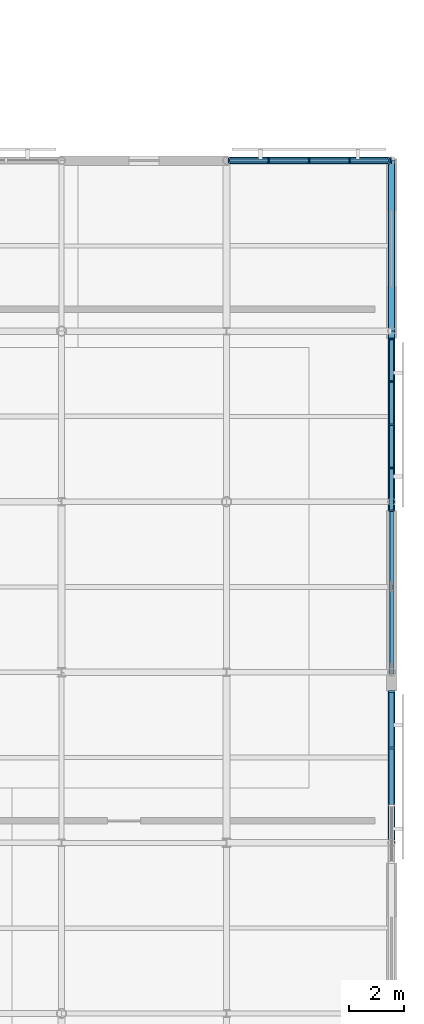
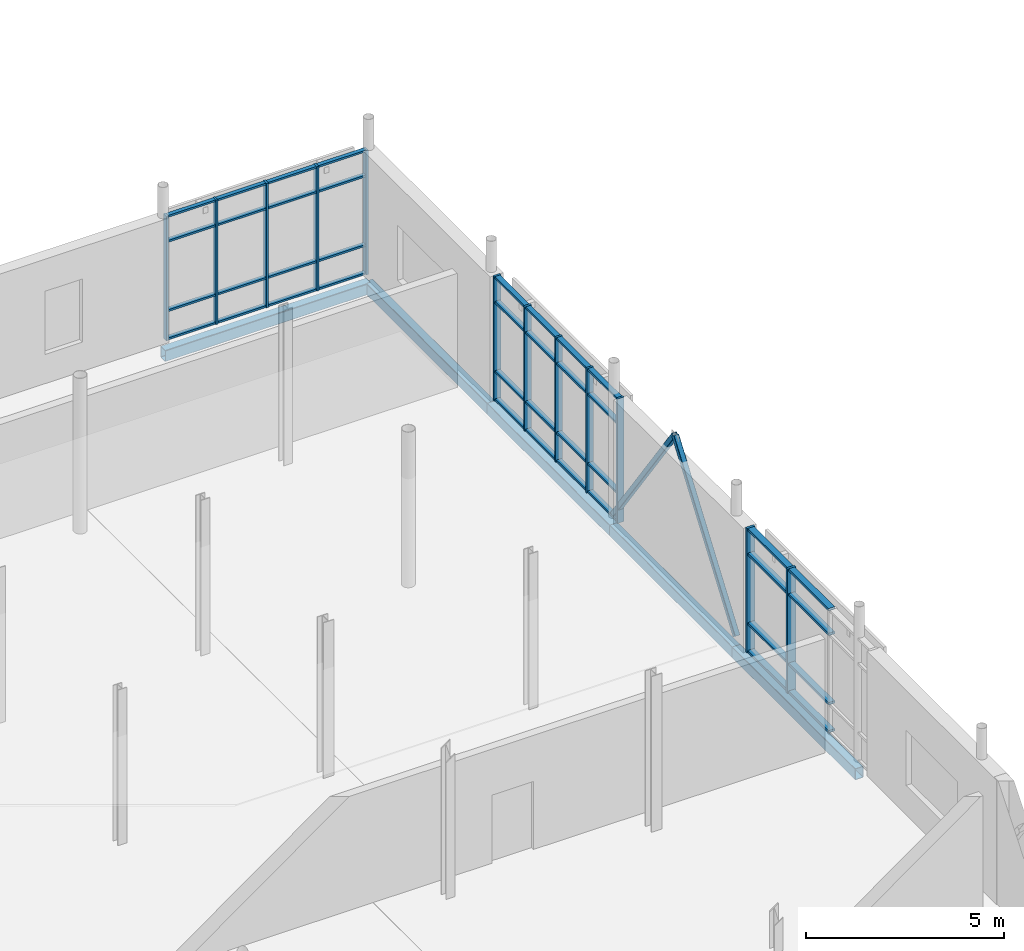
# One storey, part 46 of 84: 54 members, 5 beams, 3 elements without a shape of their own.
"""IFC4 building model written with IfcOpenShell, lengths in metres."""

from ifc_helpers import new_model, si_unit, direction, frame, origin, origin_2d, place, context, subcontext, project, spatial, rectangle, hollow_rectangle, extrude, material, layer, layer_set, material_profile, profile_set, type_object, element, aggregate, save


model = new_model("IFC4")

# Units and contexts
model_context = context("Model", 3, precision=1e-05, world=origin(), true_north=direction((0.0, 1.0)))
body_context = subcontext(model_context, "Body", "Model", "MODEL_VIEW")
ifc_project = project(units=[si_unit("LENGTHUNIT", "METRE"), si_unit("AREAUNIT", "SQUARE_METRE"), si_unit("VOLUMEUNIT", "CUBIC_METRE"), si_unit("PLANEANGLEUNIT", "RADIAN"), si_unit("MASSUNIT", "GRAM", prefix="KILO")], contexts=[model_context])

# Site, building, storey
site_placement = place(None, origin())
site = spatial("IfcSite", under=ifc_project, at=site_placement, CompositionType="ELEMENT")
building_placement = place(site_placement, origin())
building = spatial("IfcBuilding", under=site, at=building_placement, Name="Mirzam Square Science Centre", CompositionType="ELEMENT")
storey_placement = place(building_placement, frame((0.0, 0.0, 10.800048828125)))
storey = spatial("IfcBuildingStorey", under=building, at=storey_placement, Name="L02", CompositionType="ELEMENT", Elevation=10.800048828125)

# Members
ifc_material_1 = material(Name="Steel S355", Category="steel")
ifc_material_profile_1 = material_profile(ifc_material_1, hollow_rectangle(XDim=0.14990234375, YDim=0.14990234375, WallThickness=0.008056640625, InnerFilletRadius=0.008056640625, OuterFilletRadius=0.01611328125, at=origin_2d()), Name="150x150x8.0SHS")
ifc_profile_set_1 = profile_set([ifc_material_profile_1], Name="Steel S355")
member_type_1 = type_object("IfcMemberType", Name="BR-SHS150", PredefinedType="BRACE", material=ifc_profile_set_1)
member_1_placement = place(storey_placement, frame((162.0, 68.199951171875, 0.050048828125), z_axis=(0.0, 0.582587140855, 0.812768246987), x_axis=(-1.0, 0.0, 0.0)))
element("IfcMember", 1, at=member_1_placement, inside=storey, type_object=member_type_1, Name="L02 chevron brace 5A", PredefinedType="BRACE", context=body_context, shape_type="SweptSolid", body=[
    extrude(hollow_rectangle(XDim=0.14990234375, YDim=0.14990234375, WallThickness=0.008056640625, InnerFilletRadius=0.008056640625, OuterFilletRadius=0.01611328125, at=origin_2d()), origin(), (0.0, 0.0, 1.0), 5.3212890625),
])
member_2_placement = place(storey_placement, frame((162.0, 74.39990234375, 0.050048828125), z_axis=(0.0, -0.582556831518, 0.812789971673), x_axis=(1.0, 0.0, 0.0)))
element("IfcMember", 2, at=member_2_placement, inside=storey, type_object=member_type_1, Name="L02 chevron brace 5B", PredefinedType="BRACE", context=body_context, shape_type="SweptSolid", body=[
    extrude(hollow_rectangle(XDim=0.14990234375, YDim=0.14990234375, WallThickness=0.008056640625, InnerFilletRadius=0.008056640625, OuterFilletRadius=0.01611328125, at=origin_2d()), origin(), (0.0, 0.0, 1.0), 5.321044921875),
])

# Curtain wall, members
ifc_material_2 = material(Name="Anodised Aluminium and Low-E Solar Glass", Category="aluminium")
ifc_layer_1 = layer(ifc_material_2, 0.159912109375)
ifc_layer_set_1 = layer_set([ifc_layer_1], Name="CW-COURT-B")
curtain_wall_type_1 = type_object("IfcCurtainWallType", Name="CW-COURT-B", PredefinedType="USERDEFINED", material=ifc_layer_set_1)
curtain_wall_1_placement = place(storey_placement, origin())
curtain_wall_1 = element("IfcCurtainWall", 3, at=curtain_wall_1_placement, inside=storey, type_object=curtain_wall_type_1, Name="L02 unitised curtain wall 107", ObjectType="UNITISED CURTAIN WALL", PredefinedType="USERDEFINED")
ifc_material_3 = material(Name="Anodised Architectural Aluminium 6063-T6", Category="aluminium")
ifc_material_profile_2 = material_profile(ifc_material_3, rectangle(XDim=0.06005859375, YDim=0.159912109375, at=origin_2d()), Name="ALU-MULL-160x60x4")
ifc_profile_set_2 = profile_set([ifc_material_profile_2], Name="Anodised Architectural Aluminium 6063-T6")
member_type_2 = type_object("IfcMemberType", Name="CWM-160", PredefinedType="MULLION", material=ifc_profile_set_2)
member_3_placement = place(storey_placement, frame((161.9150390625, 86.800048828125, 0.0), z_axis=(0.0, 0.0, 1.0), x_axis=(-1.0, 0.0, 0.0)))
member_3 = element("IfcMember", 4, at=member_3_placement, type_object=member_type_2, Name="CW-04 mullion 1", PredefinedType="MULLION", context=body_context, shape_type="SweptSolid", body=[
    extrude(rectangle(XDim=0.06005859375, YDim=0.159912109375, at=origin_2d()), origin(), (0.0, 0.0, 1.0), 3.83984375),
])
member_4_placement = place(storey_placement, frame((160.472412109375, 86.800048828125, 0.0), z_axis=(0.0, 0.0, 1.0), x_axis=(-1.0, 0.0, 0.0)))
member_4 = element("IfcMember", 5, at=member_4_placement, type_object=member_type_2, Name="CW-04 mullion 2", PredefinedType="MULLION", context=body_context, shape_type="SweptSolid", body=[
    extrude(rectangle(XDim=0.06005859375, YDim=0.159912109375, at=origin_2d()), origin(), (0.0, 0.0, 1.0), 3.83984375),
])
member_5_placement = place(storey_placement, frame((159.0, 86.800048828125, 0.0), z_axis=(0.0, 0.0, 1.0), x_axis=(-1.0, 0.0, 0.0)))
member_5 = element("IfcMember", 6, at=member_5_placement, type_object=member_type_2, Name="CW-04 mullion 3", PredefinedType="MULLION", context=body_context, shape_type="SweptSolid", body=[
    extrude(rectangle(XDim=0.06005859375, YDim=0.159912109375, at=origin_2d()), origin(), (0.0, 0.0, 1.0), 3.83984375),
])
member_6_placement = place(storey_placement, frame((157.527587890625, 86.800048828125, 0.0), z_axis=(0.0, 0.0, 1.0), x_axis=(-1.0, 0.0, 0.0)))
member_6 = element("IfcMember", 7, at=member_6_placement, type_object=member_type_2, Name="CW-04 mullion 4", PredefinedType="MULLION", context=body_context, shape_type="SweptSolid", body=[
    extrude(rectangle(XDim=0.06005859375, YDim=0.159912109375, at=origin_2d()), origin(), (0.0, 0.0, 1.0), 3.83984375),
])
member_7_placement = place(storey_placement, frame((156.0849609375, 86.800048828125, 0.0), z_axis=(0.0, 0.0, 1.0), x_axis=(-1.0, 0.0, 0.0)))
member_7 = element("IfcMember", 8, at=member_7_placement, type_object=member_type_2, Name="CW-04 mullion 5", PredefinedType="MULLION", context=body_context, shape_type="SweptSolid", body=[
    extrude(rectangle(XDim=0.06005859375, YDim=0.159912109375, at=origin_2d()), origin(), (0.0, 0.0, 1.0), 3.83984375),
])

ifc_layer_2 = layer(ifc_material_2, 0.179931640625)
ifc_layer_set_2 = layer_set([ifc_layer_2], Name="CW-LINK-A")
curtain_wall_type_2 = type_object("IfcCurtainWallType", Name="CW-LINK-A", PredefinedType="USERDEFINED", material=ifc_layer_set_2)
curtain_wall_2_placement = place(storey_placement, origin())
curtain_wall_2 = element("IfcCurtainWall", 9, at=curtain_wall_2_placement, inside=storey, type_object=curtain_wall_type_2, Name="L02 unitised curtain wall 106", ObjectType="UNITISED CURTAIN WALL", PredefinedType="USERDEFINED")
ifc_material_profile_3 = material_profile(ifc_material_3, rectangle(XDim=0.06494140625, YDim=0.199951171875, at=origin_2d()), Name="ALU-MULL-200x65x5")
ifc_profile_set_3 = profile_set([ifc_material_profile_3], Name="Anodised Architectural Aluminium 6063-T6")
member_type_3 = type_object("IfcMemberType", Name="CWM-200", PredefinedType="MULLION", material=ifc_profile_set_3)
member_8_placement = place(storey_placement, frame((162.0, 74.08740234375, 0.0), z_axis=(0.0, 0.0, 1.0), x_axis=(0.0, 1.0, 0.0)))
member_8 = element("IfcMember", 10, at=member_8_placement, type_object=member_type_3, Name="CW-08 mullion 1", PredefinedType="MULLION", context=body_context, shape_type="SweptSolid", body=[
    extrude(rectangle(XDim=0.06494140625, YDim=0.199951171875, at=origin_2d()), origin(), (0.0, 0.0, 1.0), 3.83984375),
])
member_9_placement = place(storey_placement, frame((162.0, 75.62744140625, 0.0), z_axis=(0.0, 0.0, 1.0), x_axis=(0.0, 1.0, 0.0)))
member_9 = element("IfcMember", 11, at=member_9_placement, type_object=member_type_3, Name="CW-08 mullion 2", PredefinedType="MULLION", context=body_context, shape_type="SweptSolid", body=[
    extrude(rectangle(XDim=0.06494140625, YDim=0.199951171875, at=origin_2d()), origin(), (0.0, 0.0, 1.0), 3.83984375),
])
member_10_placement = place(storey_placement, frame((162.0, 77.199951171875, 0.0), z_axis=(0.0, 0.0, 1.0), x_axis=(0.0, 1.0, 0.0)))
member_10 = element("IfcMember", 12, at=member_10_placement, type_object=member_type_3, Name="CW-08 mullion 3", PredefinedType="MULLION", context=body_context, shape_type="SweptSolid", body=[
    extrude(rectangle(XDim=0.06494140625, YDim=0.199951171875, at=origin_2d()), origin(), (0.0, 0.0, 1.0), 3.83984375),
])
member_11_placement = place(storey_placement, frame((162.0, 78.7724609375, 0.0), z_axis=(0.0, 0.0, 1.0), x_axis=(0.0, 1.0, 0.0)))
member_11 = element("IfcMember", 13, at=member_11_placement, type_object=member_type_3, Name="CW-08 mullion 4", PredefinedType="MULLION", context=body_context, shape_type="SweptSolid", body=[
    extrude(rectangle(XDim=0.06494140625, YDim=0.199951171875, at=origin_2d()), origin(), (0.0, 0.0, 1.0), 3.83984375),
])
member_12_placement = place(storey_placement, frame((162.0, 80.3125, 0.0), z_axis=(0.0, 0.0, 1.0), x_axis=(0.0, 1.0, 0.0)))
member_12 = element("IfcMember", 14, at=member_12_placement, type_object=member_type_3, Name="CW-08 mullion 5", PredefinedType="MULLION", context=body_context, shape_type="SweptSolid", body=[
    extrude(rectangle(XDim=0.06494140625, YDim=0.199951171875, at=origin_2d()), origin(), (0.0, 0.0, 1.0), 3.83984375),
])

ifc_layer_3 = layer(ifc_material_2, 0.239990234375)
ifc_layer_set_3 = layer_set([ifc_layer_3], Name="CW-EAST-B")
curtain_wall_type_3 = type_object("IfcCurtainWallType", Name="CW-EAST-B", PredefinedType="USERDEFINED", material=ifc_layer_set_3)
curtain_wall_3_placement = place(storey_placement, origin())
curtain_wall_3 = element("IfcCurtainWall", 15, at=curtain_wall_3_placement, inside=storey, type_object=curtain_wall_type_3, Name="L02 unitised curtain wall 105", ObjectType="UNITISED CURTAIN WALL", PredefinedType="USERDEFINED")
ifc_material_profile_4 = material_profile(ifc_material_3, rectangle(XDim=0.074951171875, YDim=0.239990234375, at=origin_2d()), Name="ALU-MULL-240x75x5")
ifc_profile_set_4 = profile_set([ifc_material_profile_4], Name="Anodised Architectural Aluminium 6063-T6")
member_type_4 = type_object("IfcMemberType", Name="CWM-240", PredefinedType="MULLION", material=ifc_profile_set_4)
member_13_placement = place(storey_placement, frame((162.0, 65.4482421875, 0.0), z_axis=(0.0, 0.0, 1.0), x_axis=(0.0, 1.0, 0.0)))
member_13 = element("IfcMember", 16, at=member_13_placement, type_object=member_type_4, Name="CW-06 mullion 3", PredefinedType="MULLION", context=body_context, shape_type="SweptSolid", body=[
    extrude(rectangle(XDim=0.074951171875, YDim=0.239990234375, at=origin_2d()), origin(), (0.0, 0.0, 1.0), 3.83984375),
])
member_14_placement = place(storey_placement, frame((162.0, 67.507568359375, 0.0), z_axis=(0.0, 0.0, 1.0), x_axis=(0.0, 1.0, 0.0)))
member_14 = element("IfcMember", 17, at=member_14_placement, type_object=member_type_4, Name="CW-06 mullion 4", PredefinedType="MULLION", context=body_context, shape_type="SweptSolid", body=[
    extrude(rectangle(XDim=0.074951171875, YDim=0.239990234375, at=origin_2d()), origin(), (0.0, 0.0, 1.0), 3.83984375),
])

# Member
ifc_material_profile_5 = material_profile(ifc_material_3, rectangle(XDim=0.1201171875, YDim=0.06005859375, at=origin_2d()), Name="ALU-TRAN-120x60x4")
ifc_profile_set_5 = profile_set([ifc_material_profile_5], Name="Anodised Architectural Aluminium 6063-T6")
member_type_5 = type_object("IfcMemberType", Name="CWT-120", PredefinedType="USERDEFINED", material=ifc_profile_set_5)
member_15_placement = place(storey_placement, frame((161.885009765625, 86.800048828125, 0.030029296875), z_axis=(-1.0, 0.0, 0.0), x_axis=(0.0, -1.0, 0.0)))
member_15 = element("IfcMember", 18, at=member_15_placement, type_object=member_type_5, Name="CW-04 transom 1.1", ObjectType="TRANSOM", PredefinedType="USERDEFINED", context=body_context, shape_type="SweptSolid", body=[
    extrude(rectangle(XDim=0.1201171875, YDim=0.06005859375, at=origin_2d()), origin(), (0.0, 0.0, 1.0), 1.382568359375),
])

member_16_placement = place(storey_placement, frame((161.885009765625, 86.800048828125, 0.89990234375), z_axis=(-1.0, 0.0, 0.0), x_axis=(0.0, -1.0, 0.0)))
member_16 = element("IfcMember", 19, at=member_16_placement, type_object=member_type_5, Name="CW-04 transom 1.2", ObjectType="TRANSOM", PredefinedType="USERDEFINED", context=body_context, shape_type="SweptSolid", body=[
    extrude(rectangle(XDim=0.1201171875, YDim=0.06005859375, at=origin_2d()), origin(), (0.0, 0.0, 1.0), 1.382568359375),
])

member_17_placement = place(storey_placement, frame((161.885009765625, 86.800048828125, 3.0400390625), z_axis=(-1.0, 0.0, 0.0), x_axis=(0.0, -1.0, 0.0)))
member_17 = element("IfcMember", 20, at=member_17_placement, type_object=member_type_5, Name="CW-04 transom 1.3", ObjectType="TRANSOM", PredefinedType="USERDEFINED", context=body_context, shape_type="SweptSolid", body=[
    extrude(rectangle(XDim=0.1201171875, YDim=0.06005859375, at=origin_2d()), origin(), (0.0, 0.0, 1.0), 1.382568359375),
])

member_18_placement = place(storey_placement, frame((161.885009765625, 86.800048828125, 3.81005859375), z_axis=(-1.0, 0.0, 0.0), x_axis=(0.0, -1.0, 0.0)))
member_18 = element("IfcMember", 21, at=member_18_placement, type_object=member_type_5, Name="CW-04 transom 1.4", ObjectType="TRANSOM", PredefinedType="USERDEFINED", context=body_context, shape_type="SweptSolid", body=[
    extrude(rectangle(XDim=0.1201171875, YDim=0.06005859375, at=origin_2d()), origin(), (0.0, 0.0, 1.0), 1.382568359375),
])

member_19_placement = place(storey_placement, frame((160.4423828125, 86.800048828125, 0.030029296875), z_axis=(-1.0, 0.0, 0.0), x_axis=(0.0, -1.0, 0.0)))
member_19 = element("IfcMember", 22, at=member_19_placement, type_object=member_type_5, Name="CW-04 transom 2.1", ObjectType="TRANSOM", PredefinedType="USERDEFINED", context=body_context, shape_type="SweptSolid", body=[
    extrude(rectangle(XDim=0.1201171875, YDim=0.06005859375, at=origin_2d()), origin(), (0.0, 0.0, 1.0), 1.412353515625),
])

member_20_placement = place(storey_placement, frame((160.4423828125, 86.800048828125, 0.89990234375), z_axis=(-1.0, 0.0, 0.0), x_axis=(0.0, -1.0, 0.0)))
member_20 = element("IfcMember", 23, at=member_20_placement, type_object=member_type_5, Name="CW-04 transom 2.2", ObjectType="TRANSOM", PredefinedType="USERDEFINED", context=body_context, shape_type="SweptSolid", body=[
    extrude(rectangle(XDim=0.1201171875, YDim=0.06005859375, at=origin_2d()), origin(), (0.0, 0.0, 1.0), 1.412353515625),
])

member_21_placement = place(storey_placement, frame((160.4423828125, 86.800048828125, 3.0400390625), z_axis=(-1.0, 0.0, 0.0), x_axis=(0.0, -1.0, 0.0)))
member_21 = element("IfcMember", 24, at=member_21_placement, type_object=member_type_5, Name="CW-04 transom 2.3", ObjectType="TRANSOM", PredefinedType="USERDEFINED", context=body_context, shape_type="SweptSolid", body=[
    extrude(rectangle(XDim=0.1201171875, YDim=0.06005859375, at=origin_2d()), origin(), (0.0, 0.0, 1.0), 1.412353515625),
])

member_22_placement = place(storey_placement, frame((160.4423828125, 86.800048828125, 3.81005859375), z_axis=(-1.0, 0.0, 0.0), x_axis=(0.0, -1.0, 0.0)))
member_22 = element("IfcMember", 25, at=member_22_placement, type_object=member_type_5, Name="CW-04 transom 2.4", ObjectType="TRANSOM", PredefinedType="USERDEFINED", context=body_context, shape_type="SweptSolid", body=[
    extrude(rectangle(XDim=0.1201171875, YDim=0.06005859375, at=origin_2d()), origin(), (0.0, 0.0, 1.0), 1.412353515625),
])

member_23_placement = place(storey_placement, frame((158.969970703125, 86.800048828125, 0.030029296875), z_axis=(-1.0, 0.0, 0.0), x_axis=(0.0, -1.0, 0.0)))
member_23 = element("IfcMember", 26, at=member_23_placement, type_object=member_type_5, Name="CW-04 transom 3.1", ObjectType="TRANSOM", PredefinedType="USERDEFINED", context=body_context, shape_type="SweptSolid", body=[
    extrude(rectangle(XDim=0.1201171875, YDim=0.06005859375, at=origin_2d()), origin(), (0.0, 0.0, 1.0), 1.412353515625),
])

member_24_placement = place(storey_placement, frame((158.969970703125, 86.800048828125, 0.89990234375), z_axis=(-1.0, 0.0, 0.0), x_axis=(0.0, -1.0, 0.0)))
member_24 = element("IfcMember", 27, at=member_24_placement, type_object=member_type_5, Name="CW-04 transom 3.2", ObjectType="TRANSOM", PredefinedType="USERDEFINED", context=body_context, shape_type="SweptSolid", body=[
    extrude(rectangle(XDim=0.1201171875, YDim=0.06005859375, at=origin_2d()), origin(), (0.0, 0.0, 1.0), 1.412353515625),
])

member_25_placement = place(storey_placement, frame((158.969970703125, 86.800048828125, 3.0400390625), z_axis=(-1.0, 0.0, 0.0), x_axis=(0.0, -1.0, 0.0)))
member_25 = element("IfcMember", 28, at=member_25_placement, type_object=member_type_5, Name="CW-04 transom 3.3", ObjectType="TRANSOM", PredefinedType="USERDEFINED", context=body_context, shape_type="SweptSolid", body=[
    extrude(rectangle(XDim=0.1201171875, YDim=0.06005859375, at=origin_2d()), origin(), (0.0, 0.0, 1.0), 1.412353515625),
])

member_26_placement = place(storey_placement, frame((158.969970703125, 86.800048828125, 3.81005859375), z_axis=(-1.0, 0.0, 0.0), x_axis=(0.0, -1.0, 0.0)))
member_26 = element("IfcMember", 29, at=member_26_placement, type_object=member_type_5, Name="CW-04 transom 3.4", ObjectType="TRANSOM", PredefinedType="USERDEFINED", context=body_context, shape_type="SweptSolid", body=[
    extrude(rectangle(XDim=0.1201171875, YDim=0.06005859375, at=origin_2d()), origin(), (0.0, 0.0, 1.0), 1.412353515625),
])

member_27_placement = place(storey_placement, frame((157.49755859375, 86.800048828125, 0.030029296875), z_axis=(-1.0, 0.0, 0.0), x_axis=(0.0, -1.0, 0.0)))
member_27 = element("IfcMember", 30, at=member_27_placement, type_object=member_type_5, Name="CW-04 transom 4.1", ObjectType="TRANSOM", PredefinedType="USERDEFINED", context=body_context, shape_type="SweptSolid", body=[
    extrude(rectangle(XDim=0.1201171875, YDim=0.06005859375, at=origin_2d()), origin(), (0.0, 0.0, 1.0), 1.382568359375),
])

member_28_placement = place(storey_placement, frame((157.49755859375, 86.800048828125, 0.89990234375), z_axis=(-1.0, 0.0, 0.0), x_axis=(0.0, -1.0, 0.0)))
member_28 = element("IfcMember", 31, at=member_28_placement, type_object=member_type_5, Name="CW-04 transom 4.2", ObjectType="TRANSOM", PredefinedType="USERDEFINED", context=body_context, shape_type="SweptSolid", body=[
    extrude(rectangle(XDim=0.1201171875, YDim=0.06005859375, at=origin_2d()), origin(), (0.0, 0.0, 1.0), 1.382568359375),
])

member_29_placement = place(storey_placement, frame((157.49755859375, 86.800048828125, 3.0400390625), z_axis=(-1.0, 0.0, 0.0), x_axis=(0.0, -1.0, 0.0)))
member_29 = element("IfcMember", 32, at=member_29_placement, type_object=member_type_5, Name="CW-04 transom 4.3", ObjectType="TRANSOM", PredefinedType="USERDEFINED", context=body_context, shape_type="SweptSolid", body=[
    extrude(rectangle(XDim=0.1201171875, YDim=0.06005859375, at=origin_2d()), origin(), (0.0, 0.0, 1.0), 1.382568359375),
])

member_30_placement = place(storey_placement, frame((157.49755859375, 86.800048828125, 3.81005859375), z_axis=(-1.0, 0.0, 0.0), x_axis=(0.0, -1.0, 0.0)))
member_30 = element("IfcMember", 33, at=member_30_placement, type_object=member_type_5, Name="CW-04 transom 4.4", ObjectType="TRANSOM", PredefinedType="USERDEFINED", context=body_context, shape_type="SweptSolid", body=[
    extrude(rectangle(XDim=0.1201171875, YDim=0.06005859375, at=origin_2d()), origin(), (0.0, 0.0, 1.0), 1.382568359375),
])

aggregate(curtain_wall_1, [member_3, member_4, member_5, member_6, member_7, member_15, member_16, member_17, member_18, member_19, member_20, member_21, member_22, member_23, member_24, member_25, member_26, member_27, member_28, member_29, member_30])

ifc_material_profile_6 = material_profile(ifc_material_3, rectangle(XDim=0.14990234375, YDim=0.06494140625, at=origin_2d()), Name="ALU-TRAN-150x65x4")
ifc_profile_set_6 = profile_set([ifc_material_profile_6], Name="Anodised Architectural Aluminium 6063-T6")
member_type_6 = type_object("IfcMemberType", Name="CWT-150", PredefinedType="USERDEFINED", material=ifc_profile_set_6)
member_31_placement = place(storey_placement, frame((162.0, 74.1201171875, 0.032470703125), z_axis=(0.0, 1.0, 0.0), x_axis=(-1.0, 0.0, 0.0)))
member_31 = element("IfcMember", 34, at=member_31_placement, type_object=member_type_6, Name="CW-08 transom 1.1", ObjectType="TRANSOM", PredefinedType="USERDEFINED", context=body_context, shape_type="SweptSolid", body=[
    extrude(rectangle(XDim=0.14990234375, YDim=0.06494140625, at=origin_2d()), origin(), (0.0, 0.0, 1.0), 1.474853515625),
])

member_32_placement = place(storey_placement, frame((162.0, 74.1201171875, 0.89990234375), z_axis=(0.0, 1.0, 0.0), x_axis=(-1.0, 0.0, 0.0)))
member_32 = element("IfcMember", 35, at=member_32_placement, type_object=member_type_6, Name="CW-08 transom 1.2", ObjectType="TRANSOM", PredefinedType="USERDEFINED", context=body_context, shape_type="SweptSolid", body=[
    extrude(rectangle(XDim=0.14990234375, YDim=0.06494140625, at=origin_2d()), origin(), (0.0, 0.0, 1.0), 1.474853515625),
])

member_33_placement = place(storey_placement, frame((162.0, 74.1201171875, 3.0400390625), z_axis=(0.0, 1.0, 0.0), x_axis=(-1.0, 0.0, 0.0)))
member_33 = element("IfcMember", 36, at=member_33_placement, type_object=member_type_6, Name="CW-08 transom 1.3", ObjectType="TRANSOM", PredefinedType="USERDEFINED", context=body_context, shape_type="SweptSolid", body=[
    extrude(rectangle(XDim=0.14990234375, YDim=0.06494140625, at=origin_2d()), origin(), (0.0, 0.0, 1.0), 1.474853515625),
])

member_34_placement = place(storey_placement, frame((162.0, 74.1201171875, 3.807373046875), z_axis=(0.0, 1.0, 0.0), x_axis=(-1.0, 0.0, 0.0)))
member_34 = element("IfcMember", 37, at=member_34_placement, type_object=member_type_6, Name="CW-08 transom 1.4", ObjectType="TRANSOM", PredefinedType="USERDEFINED", context=body_context, shape_type="SweptSolid", body=[
    extrude(rectangle(XDim=0.14990234375, YDim=0.06494140625, at=origin_2d()), origin(), (0.0, 0.0, 1.0), 1.474853515625),
])

member_35_placement = place(storey_placement, frame((162.0, 75.659912109375, 0.032470703125), z_axis=(0.0, 1.0, 0.0), x_axis=(-1.0, 0.0, 0.0)))
member_35 = element("IfcMember", 38, at=member_35_placement, type_object=member_type_6, Name="CW-08 transom 2.1", ObjectType="TRANSOM", PredefinedType="USERDEFINED", context=body_context, shape_type="SweptSolid", body=[
    extrude(rectangle(XDim=0.14990234375, YDim=0.06494140625, at=origin_2d()), origin(), (0.0, 0.0, 1.0), 1.507568359375),
])

member_36_placement = place(storey_placement, frame((162.0, 75.659912109375, 0.89990234375), z_axis=(0.0, 1.0, 0.0), x_axis=(-1.0, 0.0, 0.0)))
member_36 = element("IfcMember", 39, at=member_36_placement, type_object=member_type_6, Name="CW-08 transom 2.2", ObjectType="TRANSOM", PredefinedType="USERDEFINED", context=body_context, shape_type="SweptSolid", body=[
    extrude(rectangle(XDim=0.14990234375, YDim=0.06494140625, at=origin_2d()), origin(), (0.0, 0.0, 1.0), 1.507568359375),
])

member_37_placement = place(storey_placement, frame((162.0, 75.659912109375, 3.0400390625), z_axis=(0.0, 1.0, 0.0), x_axis=(-1.0, 0.0, 0.0)))
member_37 = element("IfcMember", 40, at=member_37_placement, type_object=member_type_6, Name="CW-08 transom 2.3", ObjectType="TRANSOM", PredefinedType="USERDEFINED", context=body_context, shape_type="SweptSolid", body=[
    extrude(rectangle(XDim=0.14990234375, YDim=0.06494140625, at=origin_2d()), origin(), (0.0, 0.0, 1.0), 1.507568359375),
])

member_38_placement = place(storey_placement, frame((162.0, 75.659912109375, 3.807373046875), z_axis=(0.0, 1.0, 0.0), x_axis=(-1.0, 0.0, 0.0)))
member_38 = element("IfcMember", 41, at=member_38_placement, type_object=member_type_6, Name="CW-08 transom 2.4", ObjectType="TRANSOM", PredefinedType="USERDEFINED", context=body_context, shape_type="SweptSolid", body=[
    extrude(rectangle(XDim=0.14990234375, YDim=0.06494140625, at=origin_2d()), origin(), (0.0, 0.0, 1.0), 1.507568359375),
])

member_39_placement = place(storey_placement, frame((162.0, 77.232421875, 0.032470703125), z_axis=(0.0, 1.0, 0.0), x_axis=(-1.0, 0.0, 0.0)))
member_39 = element("IfcMember", 42, at=member_39_placement, type_object=member_type_6, Name="CW-08 transom 3.1", ObjectType="TRANSOM", PredefinedType="USERDEFINED", context=body_context, shape_type="SweptSolid", body=[
    extrude(rectangle(XDim=0.14990234375, YDim=0.06494140625, at=origin_2d()), origin(), (0.0, 0.0, 1.0), 1.507568359375),
])

member_40_placement = place(storey_placement, frame((162.0, 77.232421875, 0.89990234375), z_axis=(0.0, 1.0, 0.0), x_axis=(-1.0, 0.0, 0.0)))
member_40 = element("IfcMember", 43, at=member_40_placement, type_object=member_type_6, Name="CW-08 transom 3.2", ObjectType="TRANSOM", PredefinedType="USERDEFINED", context=body_context, shape_type="SweptSolid", body=[
    extrude(rectangle(XDim=0.14990234375, YDim=0.06494140625, at=origin_2d()), origin(), (0.0, 0.0, 1.0), 1.507568359375),
])

member_41_placement = place(storey_placement, frame((162.0, 77.232421875, 3.0400390625), z_axis=(0.0, 1.0, 0.0), x_axis=(-1.0, 0.0, 0.0)))
member_41 = element("IfcMember", 44, at=member_41_placement, type_object=member_type_6, Name="CW-08 transom 3.3", ObjectType="TRANSOM", PredefinedType="USERDEFINED", context=body_context, shape_type="SweptSolid", body=[
    extrude(rectangle(XDim=0.14990234375, YDim=0.06494140625, at=origin_2d()), origin(), (0.0, 0.0, 1.0), 1.507568359375),
])

member_42_placement = place(storey_placement, frame((162.0, 77.232421875, 3.807373046875), z_axis=(0.0, 1.0, 0.0), x_axis=(-1.0, 0.0, 0.0)))
member_42 = element("IfcMember", 45, at=member_42_placement, type_object=member_type_6, Name="CW-08 transom 3.4", ObjectType="TRANSOM", PredefinedType="USERDEFINED", context=body_context, shape_type="SweptSolid", body=[
    extrude(rectangle(XDim=0.14990234375, YDim=0.06494140625, at=origin_2d()), origin(), (0.0, 0.0, 1.0), 1.507568359375),
])

member_43_placement = place(storey_placement, frame((162.0, 78.804931640625, 0.032470703125), z_axis=(0.0, 1.0, 0.0), x_axis=(-1.0, 0.0, 0.0)))
member_43 = element("IfcMember", 46, at=member_43_placement, type_object=member_type_6, Name="CW-08 transom 4.1", ObjectType="TRANSOM", PredefinedType="USERDEFINED", context=body_context, shape_type="SweptSolid", body=[
    extrude(rectangle(XDim=0.14990234375, YDim=0.06494140625, at=origin_2d()), origin(), (0.0, 0.0, 1.0), 1.47509765625),
])

member_44_placement = place(storey_placement, frame((162.0, 78.804931640625, 0.89990234375), z_axis=(0.0, 1.0, 0.0), x_axis=(-1.0, 0.0, 0.0)))
member_44 = element("IfcMember", 47, at=member_44_placement, type_object=member_type_6, Name="CW-08 transom 4.2", ObjectType="TRANSOM", PredefinedType="USERDEFINED", context=body_context, shape_type="SweptSolid", body=[
    extrude(rectangle(XDim=0.14990234375, YDim=0.06494140625, at=origin_2d()), origin(), (0.0, 0.0, 1.0), 1.47509765625),
])

member_45_placement = place(storey_placement, frame((162.0, 78.804931640625, 3.0400390625), z_axis=(0.0, 1.0, 0.0), x_axis=(-1.0, 0.0, 0.0)))
member_45 = element("IfcMember", 48, at=member_45_placement, type_object=member_type_6, Name="CW-08 transom 4.3", ObjectType="TRANSOM", PredefinedType="USERDEFINED", context=body_context, shape_type="SweptSolid", body=[
    extrude(rectangle(XDim=0.14990234375, YDim=0.06494140625, at=origin_2d()), origin(), (0.0, 0.0, 1.0), 1.47509765625),
])

member_46_placement = place(storey_placement, frame((162.0, 78.804931640625, 3.807373046875), z_axis=(0.0, 1.0, 0.0), x_axis=(-1.0, 0.0, 0.0)))
member_46 = element("IfcMember", 49, at=member_46_placement, type_object=member_type_6, Name="CW-08 transom 4.4", ObjectType="TRANSOM", PredefinedType="USERDEFINED", context=body_context, shape_type="SweptSolid", body=[
    extrude(rectangle(XDim=0.14990234375, YDim=0.06494140625, at=origin_2d()), origin(), (0.0, 0.0, 1.0), 1.47509765625),
])

aggregate(curtain_wall_2, [member_8, member_9, member_10, member_11, member_12, member_31, member_32, member_33, member_34, member_35, member_36, member_37, member_38, member_39, member_40, member_41, member_42, member_43, member_44, member_45, member_46])

ifc_material_profile_7 = material_profile(ifc_material_3, rectangle(XDim=0.179931640625, YDim=0.074951171875, at=origin_2d()), Name="ALU-TRAN-180x75x5")
ifc_profile_set_7 = profile_set([ifc_material_profile_7], Name="Anodised Architectural Aluminium 6063-T6")
member_type_7 = type_object("IfcMemberType", Name="CWT-180", PredefinedType="USERDEFINED", material=ifc_profile_set_7)
member_47_placement = place(storey_placement, frame((162.0, 63.38916015625, 0.037353515625), z_axis=(0.0, 1.0, 0.0), x_axis=(-1.0, 0.0, 0.0)))
member_47 = element("IfcMember", 50, at=member_47_placement, type_object=member_type_7, Name="CW-06 transom 2.1", ObjectType="TRANSOM", PredefinedType="USERDEFINED", context=body_context, shape_type="SweptSolid", body=[
    extrude(rectangle(XDim=0.179931640625, YDim=0.074951171875, at=origin_2d()), origin(), (0.0, 0.0, 1.0), 2.021728515625),
])

member_48_placement = place(storey_placement, frame((162.0, 63.38916015625, 0.89990234375), z_axis=(0.0, 1.0, 0.0), x_axis=(-1.0, 0.0, 0.0)))
member_48 = element("IfcMember", 51, at=member_48_placement, type_object=member_type_7, Name="CW-06 transom 2.2", ObjectType="TRANSOM", PredefinedType="USERDEFINED", context=body_context, shape_type="SweptSolid", body=[
    extrude(rectangle(XDim=0.179931640625, YDim=0.074951171875, at=origin_2d()), origin(), (0.0, 0.0, 1.0), 2.021728515625),
])

member_49_placement = place(storey_placement, frame((162.0, 63.38916015625, 3.0400390625), z_axis=(0.0, 1.0, 0.0), x_axis=(-1.0, 0.0, 0.0)))
member_49 = element("IfcMember", 52, at=member_49_placement, type_object=member_type_7, Name="CW-06 transom 2.3", ObjectType="TRANSOM", PredefinedType="USERDEFINED", context=body_context, shape_type="SweptSolid", body=[
    extrude(rectangle(XDim=0.179931640625, YDim=0.074951171875, at=origin_2d()), origin(), (0.0, 0.0, 1.0), 2.021728515625),
])

member_50_placement = place(storey_placement, frame((162.0, 63.38916015625, 3.802490234375), z_axis=(0.0, 1.0, 0.0), x_axis=(-1.0, 0.0, 0.0)))
member_50 = element("IfcMember", 53, at=member_50_placement, type_object=member_type_7, Name="CW-06 transom 2.4", ObjectType="TRANSOM", PredefinedType="USERDEFINED", context=body_context, shape_type="SweptSolid", body=[
    extrude(rectangle(XDim=0.179931640625, YDim=0.074951171875, at=origin_2d()), origin(), (0.0, 0.0, 1.0), 2.021728515625),
])

member_51_placement = place(storey_placement, frame((162.0, 65.48583984375, 0.037353515625), z_axis=(0.0, 1.0, 0.0), x_axis=(-1.0, 0.0, 0.0)))
member_51 = element("IfcMember", 54, at=member_51_placement, type_object=member_type_7, Name="CW-06 transom 3.1", ObjectType="TRANSOM", PredefinedType="USERDEFINED", context=body_context, shape_type="SweptSolid", body=[
    extrude(rectangle(XDim=0.179931640625, YDim=0.074951171875, at=origin_2d()), origin(), (0.0, 0.0, 1.0), 1.984130859375),
])

member_52_placement = place(storey_placement, frame((162.0, 65.48583984375, 0.89990234375), z_axis=(0.0, 1.0, 0.0), x_axis=(-1.0, 0.0, 0.0)))
member_52 = element("IfcMember", 55, at=member_52_placement, type_object=member_type_7, Name="CW-06 transom 3.2", ObjectType="TRANSOM", PredefinedType="USERDEFINED", context=body_context, shape_type="SweptSolid", body=[
    extrude(rectangle(XDim=0.179931640625, YDim=0.074951171875, at=origin_2d()), origin(), (0.0, 0.0, 1.0), 1.984130859375),
])

member_53_placement = place(storey_placement, frame((162.0, 65.48583984375, 3.0400390625), z_axis=(0.0, 1.0, 0.0), x_axis=(-1.0, 0.0, 0.0)))
member_53 = element("IfcMember", 56, at=member_53_placement, type_object=member_type_7, Name="CW-06 transom 3.3", ObjectType="TRANSOM", PredefinedType="USERDEFINED", context=body_context, shape_type="SweptSolid", body=[
    extrude(rectangle(XDim=0.179931640625, YDim=0.074951171875, at=origin_2d()), origin(), (0.0, 0.0, 1.0), 1.984130859375),
])

member_54_placement = place(storey_placement, frame((162.0, 65.48583984375, 3.802490234375), z_axis=(0.0, 1.0, 0.0), x_axis=(-1.0, 0.0, 0.0)))
member_54 = element("IfcMember", 57, at=member_54_placement, type_object=member_type_7, Name="CW-06 transom 3.4", ObjectType="TRANSOM", PredefinedType="USERDEFINED", context=body_context, shape_type="SweptSolid", body=[
    extrude(rectangle(XDim=0.179931640625, YDim=0.074951171875, at=origin_2d()), origin(), (0.0, 0.0, 1.0), 1.984130859375),
])

aggregate(curtain_wall_3, [member_13, member_14, member_47, member_48, member_49, member_50, member_51, member_52, member_53, member_54])

# Beams
ifc_material_profile_8 = material_profile(ifc_material_1, hollow_rectangle(XDim=0.25, YDim=0.35009765625, WallThickness=0.012451171875, InnerFilletRadius=0.012451171875, OuterFilletRadius=0.02490234375, at=origin_2d()), Name="350x250x12.5RHS")
ifc_profile_set_8 = profile_set([ifc_material_profile_8], Name="Steel S355")
beam_type = type_object("IfcBeamType", Name="SP-RHS350", PredefinedType="SPANDREL", material=ifc_profile_set_8)
beam_1_placement = place(storey_placement, frame((156.0, 86.800048828125, -0.425048828125), z_axis=(1.0, 0.0, 0.0), x_axis=(0.0, 1.0, 0.0)))
element("IfcBeam", 58, at=beam_1_placement, inside=storey, type_object=beam_type, Name="L02 girder X27-15", PredefinedType="SPANDREL", context=body_context, shape_type="SweptSolid", body=[
    extrude(hollow_rectangle(XDim=0.25, YDim=0.35009765625, WallThickness=0.012451171875, InnerFilletRadius=0.012451171875, OuterFilletRadius=0.02490234375, at=origin_2d()), origin(), (0.0, 0.0, 1.0), 6.0),
])
for number, where, z_axis, x_axis, name in (
    (59, (162.0, 62.0, -0.425048828125), (0.0, 1.0, 0.0), (-1.0, 0.0, 0.0), "L02 girder Y28-11"),
    (60, (162.0, 68.199951171875, -0.425048828125), (0.0, 1.0, 0.0), (-1.0, 0.0, 0.0), "L02 girder Y28-12"),
):
    element("IfcBeam", number, at=place(storey_placement, frame(where, z_axis=z_axis, x_axis=x_axis)), inside=storey, type_object=beam_type, Name=name, PredefinedType="SPANDREL", context=body_context, shape_type="SweptSolid", body=[
        extrude(hollow_rectangle(XDim=0.25, YDim=0.35009765625, WallThickness=0.012451171875, InnerFilletRadius=0.012451171875, OuterFilletRadius=0.02490234375, at=origin_2d()), origin(), (0.0, 0.0, 1.0), 6.199951171875),
    ])
beam_2_placement = place(storey_placement, frame((162.0, 74.39990234375, -0.425048828125), z_axis=(0.0, 1.0, 0.0), x_axis=(-1.0, 0.0, 0.0)))
element("IfcBeam", 61, at=beam_2_placement, inside=storey, type_object=beam_type, Name="L02 girder Y28-13", PredefinedType="SPANDREL", context=body_context, shape_type="SweptSolid", body=[
    extrude(hollow_rectangle(XDim=0.25, YDim=0.35009765625, WallThickness=0.012451171875, InnerFilletRadius=0.012451171875, OuterFilletRadius=0.02490234375, at=origin_2d()), origin(), (0.0, 0.0, 1.0), 6.2001953125),
])
beam_3_placement = place(storey_placement, frame((162.0, 80.60009765625, -0.425048828125), z_axis=(0.0, 1.0, 0.0), x_axis=(-1.0, 0.0, 0.0)))
element("IfcBeam", 62, at=beam_3_placement, inside=storey, type_object=beam_type, Name="L02 girder Y28-14", PredefinedType="SPANDREL", context=body_context, shape_type="SweptSolid", body=[
    extrude(hollow_rectangle(XDim=0.25, YDim=0.35009765625, WallThickness=0.012451171875, InnerFilletRadius=0.012451171875, OuterFilletRadius=0.02490234375, at=origin_2d()), origin(), (0.0, 0.0, 1.0), 6.199951171875),
])

save(model, "model.ifc")
